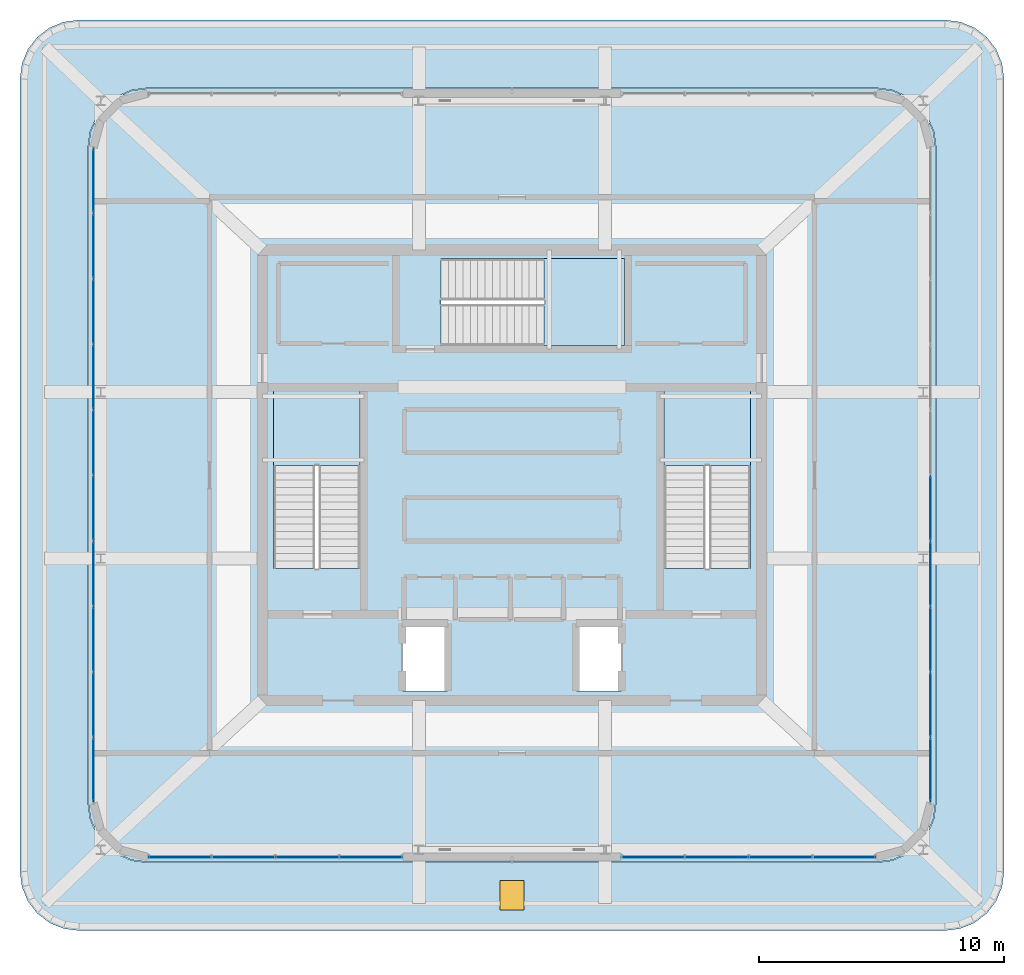
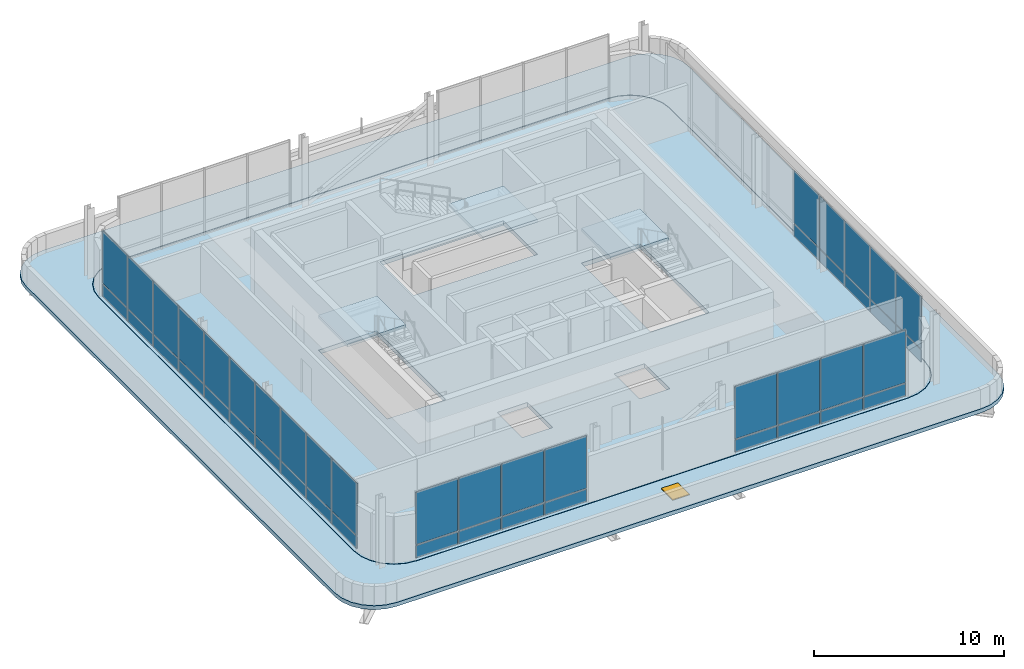
# One storey, part 20 of 28: 46 plates, 5 slabs, 1 door, 1 opening, 7 elements without a shape of their own.
"""IFC4 building model written with IfcOpenShell, lengths in metres."""

from ifc_helpers import new_model, si_unit, direction, frame, origin, origin_2d, place, context, subcontext, project, spatial, polyline, rectangle, outline, extrude, material, layer, layer_set, type_object, element, fill, aggregate, save


model = new_model("IFC4")

# Units and contexts
model_context = context("Model", 3, precision=1e-05, world=origin(), true_north=direction((0.0, 1.0)))
body_context = subcontext(model_context, "Body", "Model", "MODEL_VIEW")
ifc_project = project(units=[si_unit("LENGTHUNIT", "METRE"), si_unit("AREAUNIT", "SQUARE_METRE"), si_unit("VOLUMEUNIT", "CUBIC_METRE"), si_unit("PLANEANGLEUNIT", "RADIAN"), si_unit("MASSUNIT", "GRAM", prefix="KILO")], contexts=[model_context])

# Site, building, storey
site_placement = place(None, origin())
site = spatial("IfcSite", under=ifc_project, at=site_placement, CompositionType="ELEMENT")
building_placement = place(site_placement, origin())
building = spatial("IfcBuilding", under=site, at=building_placement, Name="Punatoya Terracotta Tower", CompositionType="ELEMENT")
storey_placement = place(building_placement, frame((0.0, 0.0, 352.800048828125)))
storey = spatial("IfcBuildingStorey", under=building, at=storey_placement, Name="L83", CompositionType="ELEMENT", Elevation=352.800048828125)

# Curtain wall, plates
ifc_material_1 = material(Name="Aluminium 6063-T6 + Double Low-E Glass", Category="aluminium")
curtain_wall_type = type_object("IfcCurtainWallType", Name="CW-CRN", PredefinedType="NOTDEFINED", material=ifc_material_1)
curtain_wall_1_placement = place(storey_placement, origin())
curtain_wall_1 = element("IfcCurtainWall", 1, at=curtain_wall_1_placement, inside=storey, type_object=curtain_wall_type, Name="L83 Curtain Wall CW-L83-S01-1", PredefinedType="NOTDEFINED")
ifc_material_2 = material(Name="Double Low-E Acoustic Vision Glass", Category="glass")
ifc_layer_1 = layer(ifc_material_2, 0.031982421875)
ifc_layer_set_1 = layer_set([ifc_layer_1], Name="Double Low-E Acoustic Vision Glass")
plate_type_1 = type_object("IfcPlateType", Name="PLT-GLZ-32", PredefinedType="CURTAIN_PANEL", material=ifc_layer_set_1)
plate_1_placement = place(storey_placement, frame((-13.582275390625, -15.60009765625, 0.889892578125), z_axis=(0.0, 0.0, 1.0), x_axis=(1.0, 0.0, 0.0)))
plate_1 = element("IfcPlate", 2, at=plate_1_placement, type_object=plate_type_1, Name="CW-L83-S01-1 Vision Glass Panel 1", PredefinedType="CURTAIN_PANEL", context=body_context, shape_type="SweptSolid", body=[
    extrude(rectangle(XDim=2.524169921875, YDim=0.031982421875, at=origin_2d()), origin(), (0.0, 0.0, 1.0), 3.35009765625),
])
plate_2_placement = place(storey_placement, frame((-10.97314453125, -15.60009765625, 0.889892578125), z_axis=(0.0, 0.0, 1.0), x_axis=(1.0, 0.0, 0.0)))
plate_2 = element("IfcPlate", 3, at=plate_2_placement, type_object=plate_type_1, Name="CW-L83-S01-1 Vision Glass Panel 2", PredefinedType="CURTAIN_PANEL", context=body_context, shape_type="SweptSolid", body=[
    extrude(rectangle(XDim=2.524169921875, YDim=0.031982421875, at=origin_2d()), origin(), (0.0, 0.0, 1.0), 3.35009765625),
])
plate_3_placement = place(storey_placement, frame((-8.36376953125, -15.60009765625, 0.889892578125), z_axis=(0.0, 0.0, 1.0), x_axis=(1.0, 0.0, 0.0)))
plate_3 = element("IfcPlate", 4, at=plate_3_placement, type_object=plate_type_1, Name="CW-L83-S01-1 Vision Glass Panel 3", PredefinedType="CURTAIN_PANEL", context=body_context, shape_type="SweptSolid", body=[
    extrude(rectangle(XDim=2.524169921875, YDim=0.031982421875, at=origin_2d()), origin(), (0.0, 0.0, 1.0), 3.35009765625),
])
plate_4_placement = place(storey_placement, frame((-5.754638671875, -15.60009765625, 0.889892578125), z_axis=(0.0, 0.0, 1.0), x_axis=(1.0, 0.0, 0.0)))
plate_4 = element("IfcPlate", 5, at=plate_4_placement, type_object=plate_type_1, Name="CW-L83-S01-1 Vision Glass Panel 4", PredefinedType="CURTAIN_PANEL", context=body_context, shape_type="SweptSolid", body=[
    extrude(rectangle(XDim=2.524169921875, YDim=0.031982421875, at=origin_2d()), origin(), (0.0, 0.0, 1.0), 3.35009765625),
])

curtain_wall_2_placement = place(storey_placement, origin())
curtain_wall_2 = element("IfcCurtainWall", 6, at=curtain_wall_2_placement, inside=storey, type_object=curtain_wall_type, Name="L83 Curtain Wall CW-L83-S01-2", PredefinedType="NOTDEFINED")
plate_5_placement = place(storey_placement, frame((5.754638671875, -15.60009765625, 0.889892578125), z_axis=(0.0, 0.0, 1.0), x_axis=(1.0, 0.0, 0.0)))
plate_5 = element("IfcPlate", 7, at=plate_5_placement, type_object=plate_type_1, Name="CW-L83-S01-2 Vision Glass Panel 1", PredefinedType="CURTAIN_PANEL", context=body_context, shape_type="SweptSolid", body=[
    extrude(rectangle(XDim=2.524169921875, YDim=0.031982421875, at=origin_2d()), origin(), (0.0, 0.0, 1.0), 3.35009765625),
])
plate_6_placement = place(storey_placement, frame((8.36376953125, -15.60009765625, 0.889892578125), z_axis=(0.0, 0.0, 1.0), x_axis=(1.0, 0.0, 0.0)))
plate_6 = element("IfcPlate", 8, at=plate_6_placement, type_object=plate_type_1, Name="CW-L83-S01-2 Vision Glass Panel 2", PredefinedType="CURTAIN_PANEL", context=body_context, shape_type="SweptSolid", body=[
    extrude(rectangle(XDim=2.524169921875, YDim=0.031982421875, at=origin_2d()), origin(), (0.0, 0.0, 1.0), 3.35009765625),
])
plate_7_placement = place(storey_placement, frame((10.97314453125, -15.60009765625, 0.889892578125), z_axis=(0.0, 0.0, 1.0), x_axis=(1.0, 0.0, 0.0)))
plate_7 = element("IfcPlate", 9, at=plate_7_placement, type_object=plate_type_1, Name="CW-L83-S01-2 Vision Glass Panel 3", PredefinedType="CURTAIN_PANEL", context=body_context, shape_type="SweptSolid", body=[
    extrude(rectangle(XDim=2.524169921875, YDim=0.031982421875, at=origin_2d()), origin(), (0.0, 0.0, 1.0), 3.35009765625),
])
plate_8_placement = place(storey_placement, frame((13.582275390625, -15.60009765625, 0.889892578125), z_axis=(0.0, 0.0, 1.0), x_axis=(1.0, 0.0, 0.0)))
plate_8 = element("IfcPlate", 10, at=plate_8_placement, type_object=plate_type_1, Name="CW-L83-S01-2 Vision Glass Panel 4", PredefinedType="CURTAIN_PANEL", context=body_context, shape_type="SweptSolid", body=[
    extrude(rectangle(XDim=2.524169921875, YDim=0.031982421875, at=origin_2d()), origin(), (0.0, 0.0, 1.0), 3.35009765625),
])

curtain_wall_3_placement = place(storey_placement, origin())
curtain_wall_3 = element("IfcCurtainWall", 11, at=curtain_wall_3_placement, inside=storey, type_object=curtain_wall_type, Name="L83 Curtain Wall CW-L83-E05-1", PredefinedType="NOTDEFINED")
plate_9_placement = place(storey_placement, frame((17.10009765625, -12.048095703125, 0.889892578125), z_axis=(0.0, 0.0, 1.0), x_axis=(0.0, 1.0, 0.0)))
plate_9 = element("IfcPlate", 12, at=plate_9_placement, type_object=plate_type_1, Name="CW-L83-E05-1 Vision Glass Panel 1", PredefinedType="CURTAIN_PANEL", context=body_context, shape_type="SweptSolid", body=[
    extrude(rectangle(XDim=2.59228515625, YDim=0.031982421875, at=origin_2d()), origin(), (0.0, 0.0, 1.0), 3.35009765625),
])
plate_10_placement = place(storey_placement, frame((17.10009765625, -9.370849609375, 0.889892578125), z_axis=(0.0, 0.0, 1.0), x_axis=(0.0, 1.0, 0.0)))
plate_10 = element("IfcPlate", 13, at=plate_10_placement, type_object=plate_type_1, Name="CW-L83-E05-1 Vision Glass Panel 2", PredefinedType="CURTAIN_PANEL", context=body_context, shape_type="SweptSolid", body=[
    extrude(rectangle(XDim=2.59228515625, YDim=0.031982421875, at=origin_2d()), origin(), (0.0, 0.0, 1.0), 3.35009765625),
])
plate_11_placement = place(storey_placement, frame((17.10009765625, -6.693359375, 0.889892578125), z_axis=(0.0, 0.0, 1.0), x_axis=(0.0, 1.0, 0.0)))
plate_11 = element("IfcPlate", 14, at=plate_11_placement, type_object=plate_type_1, Name="CW-L83-E05-1 Vision Glass Panel 3", PredefinedType="CURTAIN_PANEL", context=body_context, shape_type="SweptSolid", body=[
    extrude(rectangle(XDim=2.59228515625, YDim=0.031982421875, at=origin_2d()), origin(), (0.0, 0.0, 1.0), 3.35009765625),
])
plate_12_placement = place(storey_placement, frame((17.10009765625, -4.01611328125, 0.889892578125), z_axis=(0.0, 0.0, 1.0), x_axis=(0.0, 1.0, 0.0)))
plate_12 = element("IfcPlate", 15, at=plate_12_placement, type_object=plate_type_1, Name="CW-L83-E05-1 Vision Glass Panel 4", PredefinedType="CURTAIN_PANEL", context=body_context, shape_type="SweptSolid", body=[
    extrude(rectangle(XDim=2.59228515625, YDim=0.031982421875, at=origin_2d()), origin(), (0.0, 0.0, 1.0), 3.35009765625),
])
plate_13_placement = place(storey_placement, frame((17.10009765625, -1.338623046875, 0.889892578125), z_axis=(0.0, 0.0, 1.0), x_axis=(0.0, 1.0, 0.0)))
plate_13 = element("IfcPlate", 16, at=plate_13_placement, type_object=plate_type_1, Name="CW-L83-E05-1 Vision Glass Panel 5", PredefinedType="CURTAIN_PANEL", context=body_context, shape_type="SweptSolid", body=[
    extrude(rectangle(XDim=2.59228515625, YDim=0.031982421875, at=origin_2d()), origin(), (0.0, 0.0, 1.0), 3.35009765625),
])

curtain_wall_4_placement = place(storey_placement, origin())
curtain_wall_4 = element("IfcCurtainWall", 17, at=curtain_wall_4_placement, inside=storey, type_object=curtain_wall_type, Name="L83 Curtain Wall CW-L83-W13-1", PredefinedType="NOTDEFINED")
plate_14_placement = place(storey_placement, frame((-17.10009765625, 12.048095703125, 0.889892578125), z_axis=(0.0, 0.0, 1.0), x_axis=(0.0, -1.0, 0.0)))
plate_14 = element("IfcPlate", 18, at=plate_14_placement, type_object=plate_type_1, Name="CW-L83-W13-1 Vision Glass Panel 1", PredefinedType="CURTAIN_PANEL", context=body_context, shape_type="SweptSolid", body=[
    extrude(rectangle(XDim=2.59228515625, YDim=0.031982421875, at=origin_2d()), origin(), (0.0, 0.0, 1.0), 3.35009765625),
])
plate_15_placement = place(storey_placement, frame((-17.10009765625, 9.370849609375, 0.889892578125), z_axis=(0.0, 0.0, 1.0), x_axis=(0.0, -1.0, 0.0)))
plate_15 = element("IfcPlate", 19, at=plate_15_placement, type_object=plate_type_1, Name="CW-L83-W13-1 Vision Glass Panel 2", PredefinedType="CURTAIN_PANEL", context=body_context, shape_type="SweptSolid", body=[
    extrude(rectangle(XDim=2.59228515625, YDim=0.031982421875, at=origin_2d()), origin(), (0.0, 0.0, 1.0), 3.35009765625),
])
plate_16_placement = place(storey_placement, frame((-17.10009765625, 6.693359375, 0.889892578125), z_axis=(0.0, 0.0, 1.0), x_axis=(0.0, -1.0, 0.0)))
plate_16 = element("IfcPlate", 20, at=plate_16_placement, type_object=plate_type_1, Name="CW-L83-W13-1 Vision Glass Panel 3", PredefinedType="CURTAIN_PANEL", context=body_context, shape_type="SweptSolid", body=[
    extrude(rectangle(XDim=2.59228515625, YDim=0.031982421875, at=origin_2d()), origin(), (0.0, 0.0, 1.0), 3.35009765625),
])
plate_17_placement = place(storey_placement, frame((-17.10009765625, 4.01611328125, 0.889892578125), z_axis=(0.0, 0.0, 1.0), x_axis=(0.0, -1.0, 0.0)))
plate_17 = element("IfcPlate", 21, at=plate_17_placement, type_object=plate_type_1, Name="CW-L83-W13-1 Vision Glass Panel 4", PredefinedType="CURTAIN_PANEL", context=body_context, shape_type="SweptSolid", body=[
    extrude(rectangle(XDim=2.59228515625, YDim=0.031982421875, at=origin_2d()), origin(), (0.0, 0.0, 1.0), 3.35009765625),
])
plate_18_placement = place(storey_placement, frame((-17.10009765625, 1.338623046875, 0.889892578125), z_axis=(0.0, 0.0, 1.0), x_axis=(0.0, -1.0, 0.0)))
plate_18 = element("IfcPlate", 22, at=plate_18_placement, type_object=plate_type_1, Name="CW-L83-W13-1 Vision Glass Panel 5", PredefinedType="CURTAIN_PANEL", context=body_context, shape_type="SweptSolid", body=[
    extrude(rectangle(XDim=2.59228515625, YDim=0.031982421875, at=origin_2d()), origin(), (0.0, 0.0, 1.0), 3.35009765625),
])
plate_19_placement = place(storey_placement, frame((-17.10009765625, -1.338623046875, 0.889892578125), z_axis=(0.0, 0.0, 1.0), x_axis=(0.0, -1.0, 0.0)))
plate_19 = element("IfcPlate", 23, at=plate_19_placement, type_object=plate_type_1, Name="CW-L83-W13-1 Vision Glass Panel 6", PredefinedType="CURTAIN_PANEL", context=body_context, shape_type="SweptSolid", body=[
    extrude(rectangle(XDim=2.59228515625, YDim=0.031982421875, at=origin_2d()), origin(), (0.0, 0.0, 1.0), 3.35009765625),
])
plate_20_placement = place(storey_placement, frame((-17.10009765625, -4.01611328125, 0.889892578125), z_axis=(0.0, 0.0, 1.0), x_axis=(0.0, -1.0, 0.0)))
plate_20 = element("IfcPlate", 24, at=plate_20_placement, type_object=plate_type_1, Name="CW-L83-W13-1 Vision Glass Panel 7", PredefinedType="CURTAIN_PANEL", context=body_context, shape_type="SweptSolid", body=[
    extrude(rectangle(XDim=2.59228515625, YDim=0.031982421875, at=origin_2d()), origin(), (0.0, 0.0, 1.0), 3.35009765625),
])
plate_21_placement = place(storey_placement, frame((-17.10009765625, -6.693359375, 0.889892578125), z_axis=(0.0, 0.0, 1.0), x_axis=(0.0, -1.0, 0.0)))
plate_21 = element("IfcPlate", 25, at=plate_21_placement, type_object=plate_type_1, Name="CW-L83-W13-1 Vision Glass Panel 8", PredefinedType="CURTAIN_PANEL", context=body_context, shape_type="SweptSolid", body=[
    extrude(rectangle(XDim=2.59228515625, YDim=0.031982421875, at=origin_2d()), origin(), (0.0, 0.0, 1.0), 3.35009765625),
])
plate_22_placement = place(storey_placement, frame((-17.10009765625, -9.370849609375, 0.889892578125), z_axis=(0.0, 0.0, 1.0), x_axis=(0.0, -1.0, 0.0)))
plate_22 = element("IfcPlate", 26, at=plate_22_placement, type_object=plate_type_1, Name="CW-L83-W13-1 Vision Glass Panel 9", PredefinedType="CURTAIN_PANEL", context=body_context, shape_type="SweptSolid", body=[
    extrude(rectangle(XDim=2.59228515625, YDim=0.031982421875, at=origin_2d()), origin(), (0.0, 0.0, 1.0), 3.35009765625),
])
plate_23_placement = place(storey_placement, frame((-17.10009765625, -12.048095703125, 0.889892578125), z_axis=(0.0, 0.0, 1.0), x_axis=(0.0, -1.0, 0.0)))
plate_23 = element("IfcPlate", 27, at=plate_23_placement, type_object=plate_type_1, Name="CW-L83-W13-1 Vision Glass Panel 10", PredefinedType="CURTAIN_PANEL", context=body_context, shape_type="SweptSolid", body=[
    extrude(rectangle(XDim=2.59228515625, YDim=0.031982421875, at=origin_2d()), origin(), (0.0, 0.0, 1.0), 3.35009765625),
])

# Plate
ifc_material_3 = material(Name="Crown Insulated Terracotta Spandrel Panel", Category="masonry")
ifc_layer_2 = layer(ifc_material_3, 0.052001953125)
ifc_layer_set_2 = layer_set([ifc_layer_2], Name="Crown Insulated Terracotta Spandrel Panel")
plate_type_2 = type_object("IfcPlateType", Name="PLT-SPN-52", PredefinedType="CURTAIN_PANEL", material=ifc_layer_set_2)
plate_24_placement = place(storey_placement, frame((-13.582275390625, -15.60009765625, 0.0400390625), z_axis=(0.0, 0.0, 1.0), x_axis=(1.0, 0.0, 0.0)))
plate_24 = element("IfcPlate", 28, at=plate_24_placement, type_object=plate_type_2, Name="CW-L83-S01-1 Terracotta Spandrel Panel 1", PredefinedType="CURTAIN_PANEL", context=body_context, shape_type="SweptSolid", body=[
    extrude(rectangle(XDim=2.524169921875, YDim=0.052001953125, at=origin_2d()), origin(), (0.0, 0.0, 1.0), 0.77490234375),
])

plate_25_placement = place(storey_placement, frame((-10.97314453125, -15.60009765625, 0.0400390625), z_axis=(0.0, 0.0, 1.0), x_axis=(1.0, 0.0, 0.0)))
plate_25 = element("IfcPlate", 29, at=plate_25_placement, type_object=plate_type_2, Name="CW-L83-S01-1 Terracotta Spandrel Panel 2", PredefinedType="CURTAIN_PANEL", context=body_context, shape_type="SweptSolid", body=[
    extrude(rectangle(XDim=2.524169921875, YDim=0.052001953125, at=origin_2d()), origin(), (0.0, 0.0, 1.0), 0.77490234375),
])

plate_26_placement = place(storey_placement, frame((-8.36376953125, -15.60009765625, 0.0400390625), z_axis=(0.0, 0.0, 1.0), x_axis=(1.0, 0.0, 0.0)))
plate_26 = element("IfcPlate", 30, at=plate_26_placement, type_object=plate_type_2, Name="CW-L83-S01-1 Terracotta Spandrel Panel 3", PredefinedType="CURTAIN_PANEL", context=body_context, shape_type="SweptSolid", body=[
    extrude(rectangle(XDim=2.524169921875, YDim=0.052001953125, at=origin_2d()), origin(), (0.0, 0.0, 1.0), 0.77490234375),
])

plate_27_placement = place(storey_placement, frame((-5.754638671875, -15.60009765625, 0.0400390625), z_axis=(0.0, 0.0, 1.0), x_axis=(1.0, 0.0, 0.0)))
plate_27 = element("IfcPlate", 31, at=plate_27_placement, type_object=plate_type_2, Name="CW-L83-S01-1 Terracotta Spandrel Panel 4", PredefinedType="CURTAIN_PANEL", context=body_context, shape_type="SweptSolid", body=[
    extrude(rectangle(XDim=2.524169921875, YDim=0.052001953125, at=origin_2d()), origin(), (0.0, 0.0, 1.0), 0.77490234375),
])

aggregate(curtain_wall_1, [plate_24, plate_1, plate_25, plate_2, plate_26, plate_3, plate_27, plate_4])

plate_28_placement = place(storey_placement, frame((5.754638671875, -15.60009765625, 0.0400390625), z_axis=(0.0, 0.0, 1.0), x_axis=(1.0, 0.0, 0.0)))
plate_28 = element("IfcPlate", 32, at=plate_28_placement, type_object=plate_type_2, Name="CW-L83-S01-2 Terracotta Spandrel Panel 1", PredefinedType="CURTAIN_PANEL", context=body_context, shape_type="SweptSolid", body=[
    extrude(rectangle(XDim=2.524169921875, YDim=0.052001953125, at=origin_2d()), origin(), (0.0, 0.0, 1.0), 0.77490234375),
])

plate_29_placement = place(storey_placement, frame((8.36376953125, -15.60009765625, 0.0400390625), z_axis=(0.0, 0.0, 1.0), x_axis=(1.0, 0.0, 0.0)))
plate_29 = element("IfcPlate", 33, at=plate_29_placement, type_object=plate_type_2, Name="CW-L83-S01-2 Terracotta Spandrel Panel 2", PredefinedType="CURTAIN_PANEL", context=body_context, shape_type="SweptSolid", body=[
    extrude(rectangle(XDim=2.524169921875, YDim=0.052001953125, at=origin_2d()), origin(), (0.0, 0.0, 1.0), 0.77490234375),
])

plate_30_placement = place(storey_placement, frame((10.97314453125, -15.60009765625, 0.0400390625), z_axis=(0.0, 0.0, 1.0), x_axis=(1.0, 0.0, 0.0)))
plate_30 = element("IfcPlate", 34, at=plate_30_placement, type_object=plate_type_2, Name="CW-L83-S01-2 Terracotta Spandrel Panel 3", PredefinedType="CURTAIN_PANEL", context=body_context, shape_type="SweptSolid", body=[
    extrude(rectangle(XDim=2.524169921875, YDim=0.052001953125, at=origin_2d()), origin(), (0.0, 0.0, 1.0), 0.77490234375),
])

plate_31_placement = place(storey_placement, frame((13.582275390625, -15.60009765625, 0.0400390625), z_axis=(0.0, 0.0, 1.0), x_axis=(1.0, 0.0, 0.0)))
plate_31 = element("IfcPlate", 35, at=plate_31_placement, type_object=plate_type_2, Name="CW-L83-S01-2 Terracotta Spandrel Panel 4", PredefinedType="CURTAIN_PANEL", context=body_context, shape_type="SweptSolid", body=[
    extrude(rectangle(XDim=2.524169921875, YDim=0.052001953125, at=origin_2d()), origin(), (0.0, 0.0, 1.0), 0.77490234375),
])

aggregate(curtain_wall_2, [plate_28, plate_5, plate_29, plate_6, plate_30, plate_7, plate_31, plate_8])

plate_32_placement = place(storey_placement, frame((17.10009765625, -12.048095703125, 0.0400390625), z_axis=(0.0, 0.0, 1.0), x_axis=(0.0, 1.0, 0.0)))
plate_32 = element("IfcPlate", 36, at=plate_32_placement, type_object=plate_type_2, Name="CW-L83-E05-1 Terracotta Spandrel Panel 1", PredefinedType="CURTAIN_PANEL", context=body_context, shape_type="SweptSolid", body=[
    extrude(rectangle(XDim=2.59228515625, YDim=0.052001953125, at=origin_2d()), origin(), (0.0, 0.0, 1.0), 0.77490234375),
])

plate_33_placement = place(storey_placement, frame((17.10009765625, -9.370849609375, 0.0400390625), z_axis=(0.0, 0.0, 1.0), x_axis=(0.0, 1.0, 0.0)))
plate_33 = element("IfcPlate", 37, at=plate_33_placement, type_object=plate_type_2, Name="CW-L83-E05-1 Terracotta Spandrel Panel 2", PredefinedType="CURTAIN_PANEL", context=body_context, shape_type="SweptSolid", body=[
    extrude(rectangle(XDim=2.59228515625, YDim=0.052001953125, at=origin_2d()), origin(), (0.0, 0.0, 1.0), 0.77490234375),
])

plate_34_placement = place(storey_placement, frame((17.10009765625, -6.693359375, 0.0400390625), z_axis=(0.0, 0.0, 1.0), x_axis=(0.0, 1.0, 0.0)))
plate_34 = element("IfcPlate", 38, at=plate_34_placement, type_object=plate_type_2, Name="CW-L83-E05-1 Terracotta Spandrel Panel 3", PredefinedType="CURTAIN_PANEL", context=body_context, shape_type="SweptSolid", body=[
    extrude(rectangle(XDim=2.59228515625, YDim=0.052001953125, at=origin_2d()), origin(), (0.0, 0.0, 1.0), 0.77490234375),
])

plate_35_placement = place(storey_placement, frame((17.10009765625, -4.01611328125, 0.0400390625), z_axis=(0.0, 0.0, 1.0), x_axis=(0.0, 1.0, 0.0)))
plate_35 = element("IfcPlate", 39, at=plate_35_placement, type_object=plate_type_2, Name="CW-L83-E05-1 Terracotta Spandrel Panel 4", PredefinedType="CURTAIN_PANEL", context=body_context, shape_type="SweptSolid", body=[
    extrude(rectangle(XDim=2.59228515625, YDim=0.052001953125, at=origin_2d()), origin(), (0.0, 0.0, 1.0), 0.77490234375),
])

plate_36_placement = place(storey_placement, frame((17.10009765625, -1.338623046875, 0.0400390625), z_axis=(0.0, 0.0, 1.0), x_axis=(0.0, 1.0, 0.0)))
plate_36 = element("IfcPlate", 40, at=plate_36_placement, type_object=plate_type_2, Name="CW-L83-E05-1 Terracotta Spandrel Panel 5", PredefinedType="CURTAIN_PANEL", context=body_context, shape_type="SweptSolid", body=[
    extrude(rectangle(XDim=2.59228515625, YDim=0.052001953125, at=origin_2d()), origin(), (0.0, 0.0, 1.0), 0.77490234375),
])

aggregate(curtain_wall_3, [plate_32, plate_9, plate_33, plate_10, plate_34, plate_11, plate_35, plate_12, plate_36, plate_13])

plate_37_placement = place(storey_placement, frame((-17.10009765625, 12.048095703125, 0.0400390625), z_axis=(0.0, 0.0, 1.0), x_axis=(0.0, -1.0, 0.0)))
plate_37 = element("IfcPlate", 41, at=plate_37_placement, type_object=plate_type_2, Name="CW-L83-W13-1 Terracotta Spandrel Panel 1", PredefinedType="CURTAIN_PANEL", context=body_context, shape_type="SweptSolid", body=[
    extrude(rectangle(XDim=2.59228515625, YDim=0.052001953125, at=origin_2d()), origin(), (0.0, 0.0, 1.0), 0.77490234375),
])

plate_38_placement = place(storey_placement, frame((-17.10009765625, 9.370849609375, 0.0400390625), z_axis=(0.0, 0.0, 1.0), x_axis=(0.0, -1.0, 0.0)))
plate_38 = element("IfcPlate", 42, at=plate_38_placement, type_object=plate_type_2, Name="CW-L83-W13-1 Terracotta Spandrel Panel 2", PredefinedType="CURTAIN_PANEL", context=body_context, shape_type="SweptSolid", body=[
    extrude(rectangle(XDim=2.59228515625, YDim=0.052001953125, at=origin_2d()), origin(), (0.0, 0.0, 1.0), 0.77490234375),
])

plate_39_placement = place(storey_placement, frame((-17.10009765625, 6.693359375, 0.0400390625), z_axis=(0.0, 0.0, 1.0), x_axis=(0.0, -1.0, 0.0)))
plate_39 = element("IfcPlate", 43, at=plate_39_placement, type_object=plate_type_2, Name="CW-L83-W13-1 Terracotta Spandrel Panel 3", PredefinedType="CURTAIN_PANEL", context=body_context, shape_type="SweptSolid", body=[
    extrude(rectangle(XDim=2.59228515625, YDim=0.052001953125, at=origin_2d()), origin(), (0.0, 0.0, 1.0), 0.77490234375),
])

plate_40_placement = place(storey_placement, frame((-17.10009765625, 4.01611328125, 0.0400390625), z_axis=(0.0, 0.0, 1.0), x_axis=(0.0, -1.0, 0.0)))
plate_40 = element("IfcPlate", 44, at=plate_40_placement, type_object=plate_type_2, Name="CW-L83-W13-1 Terracotta Spandrel Panel 4", PredefinedType="CURTAIN_PANEL", context=body_context, shape_type="SweptSolid", body=[
    extrude(rectangle(XDim=2.59228515625, YDim=0.052001953125, at=origin_2d()), origin(), (0.0, 0.0, 1.0), 0.77490234375),
])

plate_41_placement = place(storey_placement, frame((-17.10009765625, 1.338623046875, 0.0400390625), z_axis=(0.0, 0.0, 1.0), x_axis=(0.0, -1.0, 0.0)))
plate_41 = element("IfcPlate", 45, at=plate_41_placement, type_object=plate_type_2, Name="CW-L83-W13-1 Terracotta Spandrel Panel 5", PredefinedType="CURTAIN_PANEL", context=body_context, shape_type="SweptSolid", body=[
    extrude(rectangle(XDim=2.59228515625, YDim=0.052001953125, at=origin_2d()), origin(), (0.0, 0.0, 1.0), 0.77490234375),
])

plate_42_placement = place(storey_placement, frame((-17.10009765625, -1.338623046875, 0.0400390625), z_axis=(0.0, 0.0, 1.0), x_axis=(0.0, -1.0, 0.0)))
plate_42 = element("IfcPlate", 46, at=plate_42_placement, type_object=plate_type_2, Name="CW-L83-W13-1 Terracotta Spandrel Panel 6", PredefinedType="CURTAIN_PANEL", context=body_context, shape_type="SweptSolid", body=[
    extrude(rectangle(XDim=2.59228515625, YDim=0.052001953125, at=origin_2d()), origin(), (0.0, 0.0, 1.0), 0.77490234375),
])

plate_43_placement = place(storey_placement, frame((-17.10009765625, -4.01611328125, 0.0400390625), z_axis=(0.0, 0.0, 1.0), x_axis=(0.0, -1.0, 0.0)))
plate_43 = element("IfcPlate", 47, at=plate_43_placement, type_object=plate_type_2, Name="CW-L83-W13-1 Terracotta Spandrel Panel 7", PredefinedType="CURTAIN_PANEL", context=body_context, shape_type="SweptSolid", body=[
    extrude(rectangle(XDim=2.59228515625, YDim=0.052001953125, at=origin_2d()), origin(), (0.0, 0.0, 1.0), 0.77490234375),
])

plate_44_placement = place(storey_placement, frame((-17.10009765625, -6.693359375, 0.0400390625), z_axis=(0.0, 0.0, 1.0), x_axis=(0.0, -1.0, 0.0)))
plate_44 = element("IfcPlate", 48, at=plate_44_placement, type_object=plate_type_2, Name="CW-L83-W13-1 Terracotta Spandrel Panel 8", PredefinedType="CURTAIN_PANEL", context=body_context, shape_type="SweptSolid", body=[
    extrude(rectangle(XDim=2.59228515625, YDim=0.052001953125, at=origin_2d()), origin(), (0.0, 0.0, 1.0), 0.77490234375),
])

plate_45_placement = place(storey_placement, frame((-17.10009765625, -9.370849609375, 0.0400390625), z_axis=(0.0, 0.0, 1.0), x_axis=(0.0, -1.0, 0.0)))
plate_45 = element("IfcPlate", 49, at=plate_45_placement, type_object=plate_type_2, Name="CW-L83-W13-1 Terracotta Spandrel Panel 9", PredefinedType="CURTAIN_PANEL", context=body_context, shape_type="SweptSolid", body=[
    extrude(rectangle(XDim=2.59228515625, YDim=0.052001953125, at=origin_2d()), origin(), (0.0, 0.0, 1.0), 0.77490234375),
])

plate_46_placement = place(storey_placement, frame((-17.10009765625, -12.048095703125, 0.0400390625), z_axis=(0.0, 0.0, 1.0), x_axis=(0.0, -1.0, 0.0)))
plate_46 = element("IfcPlate", 50, at=plate_46_placement, type_object=plate_type_2, Name="CW-L83-W13-1 Terracotta Spandrel Panel 10", PredefinedType="CURTAIN_PANEL", context=body_context, shape_type="SweptSolid", body=[
    extrude(rectangle(XDim=2.59228515625, YDim=0.052001953125, at=origin_2d()), origin(), (0.0, 0.0, 1.0), 0.77490234375),
])

aggregate(curtain_wall_4, [plate_37, plate_14, plate_38, plate_15, plate_39, plate_16, plate_40, plate_17, plate_41, plate_18, plate_42, plate_19, plate_43, plate_20, plate_44, plate_21, plate_45, plate_22, plate_46, plate_23])

# Stair, slab
ifc_material_4 = material(Name="Concrete C40/50", Category="concrete")
stair_type_1 = type_object("IfcStairType", Name="STR-TER-1450", PredefinedType="HALF_TURN_STAIR", material=ifc_material_4)
stair_1_placement = place(storey_placement, origin())
stair_1 = element("IfcStair", 51, at=stair_1_placement, inside=storey, type_object=stair_type_1, Name="L83 Protected Core Exit Stair ST-3", PredefinedType="HALF_TURN_STAIR")
ifc_layer_3 = layer(ifc_material_4, 0.1650390625)
ifc_layer_set_3 = layer_set([ifc_layer_3], Name="Concrete C40/50")
slab_type_1 = type_object("IfcSlabType", Name="SLB-LND-165", PredefinedType="LANDING", material=ifc_layer_set_3)
slab_1_placement = place(storey_placement, frame((0.0, 0.0, 2.050048828125)))
slab_1 = element("IfcSlab", 52, at=slab_1_placement, type_object=slab_type_1, Name="ST-3 landing 1", PredefinedType="LANDING", context=body_context, shape_type="SweptSolid", body=[
    extrude(outline(polyline([(1.300048828125, 5.300048828125), (4.60009765625, 5.300048828125), (4.60009765625, 8.85009765625), (1.300048828125, 8.85009765625), (1.300048828125, 5.300048828125)])), origin(), (0.0, 0.0, 1.0), 0.199951171875),
])
aggregate(stair_1, [slab_1])

stair_type_2 = type_object("IfcStairType", Name="STR-CORE-1550", PredefinedType="HALF_TURN_STAIR", material=ifc_material_4)
stair_2_placement = place(storey_placement, origin())
stair_2 = element("IfcStair", 53, at=stair_2_placement, inside=storey, type_object=stair_type_2, Name="L83 Protected Core Exit Stair ST-1", PredefinedType="HALF_TURN_STAIR")
ifc_layer_4 = layer(ifc_material_4, 0.179931640625)
ifc_layer_set_4 = layer_set([ifc_layer_4], Name="Concrete C40/50")
slab_type_2 = type_object("IfcSlabType", Name="SLB-LND-180", PredefinedType="LANDING", material=ifc_layer_set_4)
slab_2_placement = place(storey_placement, frame((0.0, 0.0, 2.050048828125)))
slab_2 = element("IfcSlab", 54, at=slab_2_placement, type_object=slab_type_2, Name="ST-1 landing 1", PredefinedType="LANDING", context=body_context, shape_type="SweptSolid", body=[
    extrude(outline(polyline([(-6.199951171875, 0.39990234375), (-6.199951171875, 3.449951171875), (-9.75, 3.449951171875), (-9.75, 0.39990234375), (-6.199951171875, 0.39990234375)])), origin(), (0.0, 0.0, 1.0), 0.199951171875),
])
aggregate(stair_2, [slab_2])

stair_type_3 = type_object("IfcStairType", Name="STR-LOB-1650", PredefinedType="HALF_TURN_STAIR", material=ifc_material_4)
stair_3_placement = place(storey_placement, origin())
stair_3 = element("IfcStair", 55, at=stair_3_placement, inside=storey, type_object=stair_type_3, Name="L83 Protected Core Exit Stair ST-2", PredefinedType="HALF_TURN_STAIR")
slab_3_placement = place(storey_placement, frame((0.0, 0.0, 2.050048828125)))
slab_3 = element("IfcSlab", 56, at=slab_3_placement, type_object=slab_type_2, Name="ST-2 landing 1", PredefinedType="LANDING", context=body_context, shape_type="SweptSolid", body=[
    extrude(outline(polyline([(9.75, 0.39990234375), (9.75, 3.449951171875), (6.199951171875, 3.449951171875), (6.199951171875, 0.39990234375), (9.75, 0.39990234375)])), origin(), (0.0, 0.0, 1.0), 0.199951171875),
])
aggregate(stair_3, [slab_3])

# Slab
ifc_layer_5 = layer(ifc_material_4, 0.280029296875)
ifc_layer_set_5 = layer_set([ifc_layer_5], Name="Concrete C40/50")
slab_type_3 = type_object("IfcSlabType", Name="SLB-POD-280", PredefinedType="FLOOR", material=ifc_layer_set_5)
slab_4_placement = place(storey_placement, frame((0.0, 0.0, -0.280029296875)))
element("IfcSlab", 57, at=slab_4_placement, inside=storey, type_object=slab_type_3, Name="L83 Structural Floor Slab", PredefinedType="FLOOR", context=body_context, shape_type="SweptSolid", body=[
    extrude(outline(polyline([(-14.89990234375, -15.800048828125), (-15.521240234375, -15.71826171875), (-16.10009765625, -15.478515625), (-16.59716796875, -15.09716796875), (-16.978515625, -14.60009765625), (-17.21826171875, -14.021240234375), (-17.300048828125, -13.39990234375), (-17.300048828125, 13.39990234375), (-17.21826171875, 14.021240234375), (-16.978515625, 14.60009765625), (-16.59716796875, 15.09716796875), (-16.10009765625, 15.478515625), (-15.521240234375, 15.71826171875), (-14.89990234375, 15.800048828125), (14.89990234375, 15.800048828125), (15.521240234375, 15.71826171875), (16.10009765625, 15.478515625), (16.59716796875, 15.09716796875), (16.978515625, 14.60009765625), (17.21826171875, 14.021240234375), (17.300048828125, 13.39990234375), (17.300048828125, -13.39990234375), (17.21826171875, -14.021240234375), (16.978515625, -14.60009765625), (16.59716796875, -15.09716796875), (16.10009765625, -15.478515625), (15.521240234375, -15.71826171875), (14.89990234375, -15.800048828125), (-14.89990234375, -15.800048828125)]), holes=[polyline([(-4.469970703125, -6.179931640625), (-4.469970703125, -8.820068359375), (-2.6298828125, -8.820068359375), (-2.6298828125, -6.179931640625), (-4.469970703125, -6.179931640625)]), polyline([(2.6298828125, -6.179931640625), (2.6298828125, -8.820068359375), (4.469970703125, -8.820068359375), (4.469970703125, -6.179931640625), (2.6298828125, -6.179931640625)]), polyline([(-9.75, -3.79931640625), (-6.199951171875, -3.79931640625), (-6.199951171875, 3.449951171875), (-9.75, 3.449951171875), (-9.75, -3.79931640625)]), polyline([(6.199951171875, 3.449951171875), (6.199951171875, -3.79931640625), (9.75, -3.79931640625), (9.75, 3.449951171875), (6.199951171875, 3.449951171875)]), polyline([(4.60009765625, 8.85009765625), (-2.899169921875, 8.85009765625), (-2.899169921875, 5.300048828125), (4.60009765625, 5.300048828125), (4.60009765625, 8.85009765625)])]), origin(), (0.0, 0.0, 1.0), 0.280029296875),
])

# Slab, opening, door
ifc_layer_6 = layer(ifc_material_4, 0.25)
ifc_layer_set_6 = layer_set([ifc_layer_6], Name="Concrete C40/50")
slab_type_4 = type_object("IfcSlabType", Name="SLB-ROF-250", PredefinedType="ROOF", material=ifc_layer_set_6)
slab_5_placement = place(storey_placement, frame((0.0, 0.0, -0.25)))
slab_5 = element("IfcSlab", 58, at=slab_5_placement, inside=storey, type_object=slab_type_4, Name="L83 Baradari Crown Maintenance Step Roof", PredefinedType="ROOF", context=body_context, shape_type="SweptSolid", body=[
    extrude(outline(polyline([(-18.3212890625, -18.518310546875), (-17.699951171875, -18.60009765625), (17.699951171875, -18.60009765625), (18.3212890625, -18.518310546875), (18.89990234375, -18.278564453125), (19.397216796875, -17.897216796875), (19.778564453125, -17.39990234375), (20.018310546875, -16.8212890625), (20.10009765625, -16.199951171875), (20.10009765625, 16.199951171875), (20.018310546875, 16.8212890625), (19.778564453125, 17.39990234375), (19.397216796875, 17.897216796875), (18.89990234375, 18.278564453125), (18.3212890625, 18.518310546875), (17.699951171875, 18.60009765625), (-17.699951171875, 18.60009765625), (-18.3212890625, 18.518310546875), (-18.89990234375, 18.278564453125), (-19.397216796875, 17.897216796875), (-19.778564453125, 17.39990234375), (-20.018310546875, 16.8212890625), (-20.10009765625, 16.199951171875), (-20.10009765625, -16.199951171875), (-20.018310546875, -16.8212890625), (-19.778564453125, -17.39990234375), (-19.397216796875, -17.897216796875), (-18.89990234375, -18.278564453125), (-18.3212890625, -18.518310546875)]), holes=[polyline([(16.110107421875, -15.49609375), (15.5263671875, -15.73779296875), (14.9013671875, -15.820068359375), (-14.9013671875, -15.820068359375), (-15.5263671875, -15.73779296875), (-16.110107421875, -15.49609375), (-16.611328125, -15.111328125), (-16.99609375, -14.610107421875), (-17.23779296875, -14.0263671875), (-17.320068359375, -13.4013671875), (-17.320068359375, 13.4013671875), (-17.23779296875, 14.0263671875), (-16.99609375, 14.610107421875), (-16.611328125, 15.111328125), (-16.110107421875, 15.49609375), (-15.5263671875, 15.73779296875), (-14.9013671875, 15.820068359375), (14.9013671875, 15.820068359375), (15.5263671875, 15.73779296875), (16.110107421875, 15.49609375), (16.611328125, 15.111328125), (16.99609375, 14.610107421875), (17.23779296875, 14.0263671875), (17.320068359375, 13.4013671875), (17.320068359375, -13.4013671875), (17.23779296875, -14.0263671875), (16.99609375, -14.610107421875), (16.611328125, -15.111328125), (16.110107421875, -15.49609375)]), polyline([(0.5, -16.550048828125), (0.5, -17.75), (-0.5, -17.75), (-0.5, -16.550048828125), (0.5, -16.550048828125)])]), origin(), (0.0, 0.0, 1.0), 0.25),
])
opening_placement = place(slab_5_placement, frame((0.0, -17.14990234375, 0.0)))
opening = element("IfcOpeningElement", 59, at=opening_placement, cuts=slab_5, Name="Opening RHT-1", PredefinedType="OPENING", context=body_context, shape_type="SweptSolid", body=[
    extrude(rectangle(XDim=1.0, YDim=1.199951171875, at=origin_2d()), frame((0.0, 0.0, -0.010009765625)), (0.0, 0.0, 1.0), 0.320068359375),
])
ifc_material_5 = material(Name="Insulated Aluminium Roof Hatch", Category="aluminium")
door_type = type_object("IfcDoorType", Name="DR-HTCH-1000", OperationType="NOTDEFINED", PredefinedType="TRAPDOOR", material=ifc_material_5)
door_placement = place(opening_placement, frame((0.0, 0.0, 0.25)))
door = element("IfcDoor", 60, at=door_placement, inside=storey, type_object=door_type, Name="L83 Crown Step-Roof Maintenance Hatch", OperationType="SINGLE_SWING_LEFT", OverallHeight=1.199951171875, OverallWidth=1.0, PredefinedType="TRAPDOOR", context=body_context, shape_type="SweptSolid", body=[
    extrude(rectangle(XDim=1.0, YDim=1.199951171875, at=origin_2d()), origin(), (0.0, 0.0, 1.0), 0.050048828125),
])
fill(opening, door)

save(model, "model.ifc")
